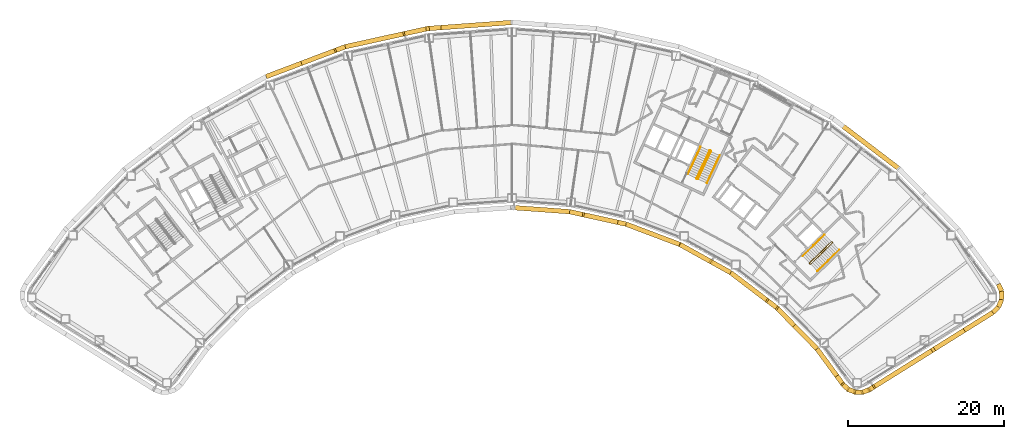
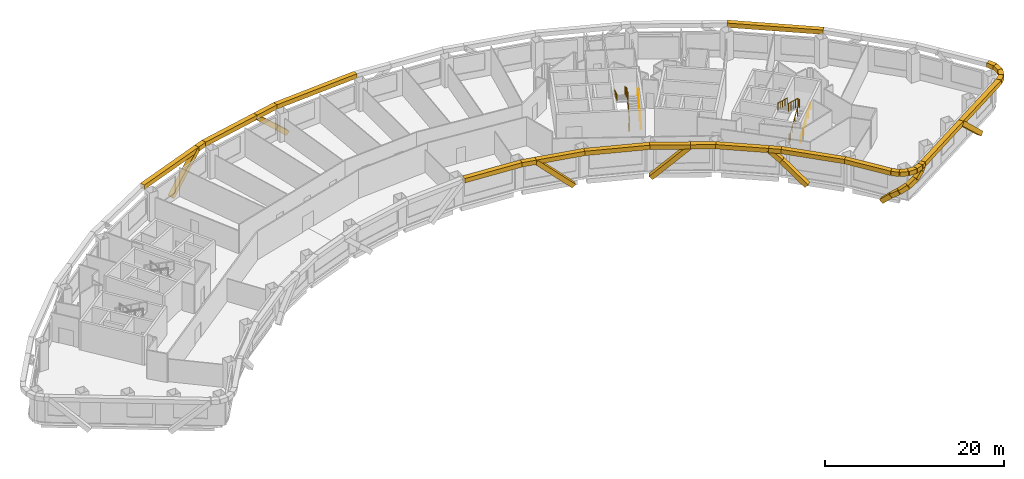
# One storey, part 14 of 16: 41 coverings, 6 railings.
"""IFC4 building model written with IfcOpenShell, lengths in metres."""

from ifc_helpers import new_model, si_unit, direction, frame, origin, origin_2d, place, context, subcontext, project, spatial, rectangle, circle, extrude, material, material_profile, profile_set, type_object, element, save


model = new_model("IFC4")

# Units and contexts
model_context = context("Model", 3, precision=1e-05, world=origin(), true_north=direction((0.0, 1.0)))
body_context = subcontext(model_context, "Body", "Model", "MODEL_VIEW")
ifc_project = project(units=[si_unit("LENGTHUNIT", "METRE"), si_unit("AREAUNIT", "SQUARE_METRE"), si_unit("VOLUMEUNIT", "CUBIC_METRE"), si_unit("PLANEANGLEUNIT", "RADIAN"), si_unit("MASSUNIT", "GRAM", prefix="KILO")], contexts=[model_context])

# Site, building, storey
site_placement = place(None, origin())
site = spatial("IfcSite", under=ifc_project, at=site_placement, CompositionType="ELEMENT")
building_placement = place(site_placement, origin())
building = spatial("IfcBuilding", under=site, at=building_placement, Name="Tuul Gate Civic Tower", CompositionType="ELEMENT")
storey_placement = place(building_placement, frame((0.0, 0.0, 124.5)))
storey = spatial("IfcBuildingStorey", under=building, at=storey_placement, Name="Level 28", CompositionType="ELEMENT", Elevation=124.5)

# Railings
ifc_material_1 = material(Name="Painted steel", Category="steel")
railing_type_1 = type_object("IfcRailingType", Name="Stair guard", PredefinedType="GUARDRAIL", material=ifc_material_1)
railing_1_placement = place(storey_placement, frame((48.10546875, -16.134765625, 0.0)))
element("IfcRailing", 1, at=railing_1_placement, inside=storey, type_object=railing_type_1, Name="Level 28 ST-3 stair guard 1", PredefinedType="GUARDRAIL", context=body_context, shape_type="SweptSolid", body=[
    extrude(circle(Radius=0.02392578125, at=origin_2d()), frame((0.0, 0.0, 1.076171875), z_axis=(-0.698506948293, 0.715603272202, 0.0), x_axis=(-0.715603272202, -0.698506948293, 0.0)), (0.0, 0.0, 1.0), 0.099853515625),
    extrude(circle(Radius=0.02392578125, at=origin_2d()), frame((-0.06982421875, 0.071533203125, 1.076171875), z_axis=(0.645446321009, -0.331687692741, 0.688027849131), x_axis=(0.457068866502, 0.889431307788, 0.0)), (0.0, 0.0, 1.0), 0.2177734375),
    extrude(circle(Radius=0.02392578125, at=origin_2d()), frame((0.07080078125, -0.000732421875, 1.22607421875), z_axis=(0.638715268259, 0.626117886127, 0.447235059857), x_axis=(-0.700029477518, 0.714113947914, 0.0)), (0.0, 0.0, 1.0), 4.360595703125),
    extrude(circle(Radius=0.02392578125, at=origin_2d()), frame((2.85595703125, 2.7294921875, 3.17626953125), z_axis=(0.010380063588, 0.999946125689, 0.0), x_axis=(-0.999946125689, 0.010380063588, 0.0)), (0.0, 0.0, 1.0), 0.070556640625),
    extrude(circle(Radius=0.02392578125, at=origin_2d()), frame((2.856689453125, 2.800048828125, 3.17626953125), z_axis=(-0.699754442181, 0.714383454909, 0.0), x_axis=(-0.714383454909, -0.699754442181, 0.0)), (0.0, 0.0, 1.0), 0.10009765625),
    extrude(circle(Radius=0.02392578125, at=origin_2d()), frame((2.78662109375, 2.87158203125, 3.17626953125), z_axis=(-0.427069033481, 0.004417955519, 0.904208229508), x_axis=(-0.010344274102, -0.999946496565, 0.0)), (0.0, 0.0, 1.0), 0.165771484375),
    extrude(circle(Radius=0.02392578125, at=origin_2d()), frame((2.7158203125, 2.872314453125, 3.326171875), z_axis=(-0.638731261263, -0.626133563701, 0.447190268558), x_axis=(0.700029477518, -0.714113947914, 0.0)), (0.0, 0.0, 1.0), 4.3603515625),
    extrude(circle(Radius=0.02099609375, at=origin_2d()), origin(), (0.0, 0.0, 1.0), 1.052001953125),
    extrude(circle(Radius=0.02099609375, at=origin_2d()), frame((-0.06982421875, 0.071533203125, 0.0)), (0.0, 0.0, 1.0), 1.052001953125),
    extrude(circle(Radius=0.02099609375, at=origin_2d()), frame((0.07080078125, -0.000732421875, 0.14990234375)), (0.0, 0.0, 1.0), 1.052001953125),
    extrude(circle(Radius=0.02099609375, at=origin_2d()), frame((0.76708984375, 0.681884765625, 0.637451171875)), (0.0, 0.0, 1.0), 1.052001953125),
    extrude(circle(Radius=0.02099609375, at=origin_2d()), frame((1.46337890625, 1.3642578125, 1.125)), (0.0, 0.0, 1.0), 1.052001953125),
    extrude(circle(Radius=0.02099609375, at=origin_2d()), frame((2.15966796875, 2.046875, 1.612548828125)), (0.0, 0.0, 1.0), 1.052001953125),
    extrude(circle(Radius=0.02099609375, at=origin_2d()), frame((2.85595703125, 2.7294921875, 2.10009765625)), (0.0, 0.0, 1.0), 1.052001953125),
    extrude(circle(Radius=0.02099609375, at=origin_2d()), frame((2.856689453125, 2.800048828125, 2.10009765625)), (0.0, 0.0, 1.0), 1.052001953125),
    extrude(circle(Radius=0.02099609375, at=origin_2d()), frame((2.78662109375, 2.87158203125, 2.10009765625)), (0.0, 0.0, 1.0), 1.052001953125),
    extrude(circle(Radius=0.02099609375, at=origin_2d()), frame((2.7158203125, 2.872314453125, 2.25)), (0.0, 0.0, 1.0), 1.052001953125),
    extrude(circle(Radius=0.02099609375, at=origin_2d()), frame((2.01953125, 2.189697265625, 2.737548828125)), (0.0, 0.0, 1.0), 1.052001953125),
    extrude(circle(Radius=0.02099609375, at=origin_2d()), frame((1.3232421875, 1.50732421875, 3.22509765625)), (0.0, 0.0, 1.0), 1.052001953125),
    extrude(circle(Radius=0.02099609375, at=origin_2d()), frame((0.626953125, 0.82470703125, 3.71240234375)), (0.0, 0.0, 1.0), 1.052001953125),
    extrude(circle(Radius=0.02099609375, at=origin_2d()), frame((-0.0693359375, 0.14208984375, 4.199951171875)), (0.0, 0.0, 1.0), 1.052001953125),
])
railing_2_placement = place(storey_placement, frame((33.645751953125, -5.238525390625, 0.0)))
element("IfcRailing", 2, at=railing_2_placement, inside=storey, type_object=railing_type_1, Name="Level 28 ST-4 stair guard 1", PredefinedType="GUARDRAIL", context=body_context, shape_type="SweptSolid", body=[
    extrude(circle(Radius=0.02392578125, at=origin_2d()), frame((0.0, 0.0, 1.076171875), z_axis=(-0.906307919131, 0.422617978463, 0.0), x_axis=(-0.422617978463, -0.906307919131, 0.0)), (0.0, 0.0, 1.0), 0.099853515625),
    extrude(circle(Radius=0.02392578125, at=origin_2d()), frame((-0.090576171875, 0.042236328125, 1.076171875), z_axis=(0.720735628292, -0.082946246491, 0.688229666829), x_axis=(0.114330889033, 0.993442724979, 0.0)), (0.0, 0.0, 1.0), 0.2177734375),
    extrude(circle(Radius=0.02392578125, at=origin_2d()), frame((0.06640625, 0.024169921875, 1.22607421875), z_axis=(0.377937439636, 0.810633814971, 0.447253965602), x_axis=(-0.906336612539, 0.422556439746, 0.0)), (0.0, 0.0, 1.0), 4.3603515625),
    extrude(circle(Radius=0.02392578125, at=origin_2d()), frame((1.71435546875, 3.558837890625, 3.17626953125), z_axis=(-0.342020437038, 0.939692513883, 0.0), x_axis=(-0.939692513883, -0.342020437038, 0.0)), (0.0, 0.0, 1.0), 0.070556640625),
    extrude(circle(Radius=0.02392578125, at=origin_2d()), frame((1.690185546875, 3.625244140625, 3.17626953125), z_axis=(-0.906307919131, 0.422617978463, 0.0), x_axis=(-0.422617978463, -0.906307919131, 0.0)), (0.0, 0.0, 1.0), 0.099853515625),
    extrude(circle(Radius=0.02392578125, at=origin_2d()), frame((1.599609375, 3.66748046875, 3.17626953125), z_axis=(-0.40070210376, -0.145843780413, 0.904526072458), x_axis=(0.342020437038, -0.939692513883, 0.0)), (0.0, 0.0, 1.0), 0.165771484375),
    extrude(circle(Radius=0.02392578125, at=origin_2d()), frame((1.533203125, 3.643310546875, 3.326171875), z_axis=(-0.377946903738, -0.810654114417, 0.447209173356), x_axis=(0.906336612539, -0.422556439746, 0.0)), (0.0, 0.0, 1.0), 4.3603515625),
    extrude(circle(Radius=0.02099609375, at=origin_2d()), origin(), (0.0, 0.0, 1.0), 1.052001953125),
    extrude(circle(Radius=0.02099609375, at=origin_2d()), frame((-0.090576171875, 0.042236328125, 0.0)), (0.0, 0.0, 1.0), 1.052001953125),
    extrude(circle(Radius=0.02099609375, at=origin_2d()), frame((0.06640625, 0.024169921875, 0.14990234375)), (0.0, 0.0, 1.0), 1.052001953125),
    extrude(circle(Radius=0.02099609375, at=origin_2d()), frame((0.478515625, 0.90771484375, 0.637451171875)), (0.0, 0.0, 1.0), 1.052001953125),
    extrude(circle(Radius=0.02099609375, at=origin_2d()), frame((0.890380859375, 1.79150390625, 1.125)), (0.0, 0.0, 1.0), 1.052001953125),
    extrude(circle(Radius=0.02099609375, at=origin_2d()), frame((1.30224609375, 2.67529296875, 1.612548828125)), (0.0, 0.0, 1.0), 1.052001953125),
    extrude(circle(Radius=0.02099609375, at=origin_2d()), frame((1.71435546875, 3.558837890625, 2.10009765625)), (0.0, 0.0, 1.0), 1.052001953125),
    extrude(circle(Radius=0.02099609375, at=origin_2d()), frame((1.690185546875, 3.625244140625, 2.10009765625)), (0.0, 0.0, 1.0), 1.052001953125),
    extrude(circle(Radius=0.02099609375, at=origin_2d()), frame((1.599609375, 3.66748046875, 2.10009765625)), (0.0, 0.0, 1.0), 1.052001953125),
    extrude(circle(Radius=0.02099609375, at=origin_2d()), frame((1.533203125, 3.643310546875, 2.25)), (0.0, 0.0, 1.0), 1.052001953125),
    extrude(circle(Radius=0.02099609375, at=origin_2d()), frame((1.12109375, 2.759765625, 2.737548828125)), (0.0, 0.0, 1.0), 1.052001953125),
    extrude(circle(Radius=0.02099609375, at=origin_2d()), frame((0.709228515625, 1.8759765625, 3.22509765625)), (0.0, 0.0, 1.0), 1.052001953125),
    extrude(circle(Radius=0.02099609375, at=origin_2d()), frame((0.29736328125, 0.9921875, 3.71240234375)), (0.0, 0.0, 1.0), 1.052001953125),
    extrude(circle(Radius=0.02099609375, at=origin_2d()), frame((-0.11474609375, 0.108642578125, 4.199951171875)), (0.0, 0.0, 1.0), 1.052001953125),
])
ifc_material_2 = material(Name="Painted steel", Category="steel")
railing_type_2 = type_object("IfcRailingType", Name="Stair handrail", PredefinedType="HANDRAIL", material=ifc_material_2)
railing_3_placement = place(storey_placement, frame((49.05126953125, -17.028076171875, 0.14990234375)))
element("IfcRailing", 3, at=railing_3_placement, inside=storey, type_object=railing_type_2, Name="Level 28 ST-3 stair handrail 1", PredefinedType="HANDRAIL", context=body_context, shape_type="SweptSolid", body=[
    extrude(circle(Radius=0.02392578125, at=origin_2d()), frame((0.0, 0.0, 0.8759765625), z_axis=(0.638737658801, 0.626083844733, 0.447250737947), x_axis=(-0.699997553204, 0.714145241186, 0.0)), (0.0, 0.0, 1.0), 4.3603515625),
    extrude(circle(Radius=0.02099609375, at=origin_2d()), origin(), (0.0, 0.0, 1.0), 0.851806640625),
    extrude(circle(Radius=0.02099609375, at=origin_2d()), frame((0.6962890625, 0.6826171875, 0.487548828125)), (0.0, 0.0, 1.0), 0.851806640625),
    extrude(circle(Radius=0.02099609375, at=origin_2d()), frame((1.392578125, 1.364990234375, 0.97509765625)), (0.0, 0.0, 1.0), 0.851806640625),
    extrude(circle(Radius=0.02099609375, at=origin_2d()), frame((2.0888671875, 2.04736328125, 1.462646484375)), (0.0, 0.0, 1.0), 0.851806640625),
    extrude(circle(Radius=0.02099609375, at=origin_2d()), frame((2.78515625, 2.72998046875, 1.9501953125)), (0.0, 0.0, 1.0), 0.851806640625),
])
railing_4_placement = place(storey_placement, frame((49.9462890625, -12.369873046875, 2.25)))
element("IfcRailing", 4, at=railing_4_placement, inside=storey, type_object=railing_type_2, Name="Level 28 ST-3 stair handrail 2", PredefinedType="HANDRAIL", context=body_context, shape_type="SweptSolid", body=[
    extrude(circle(Radius=0.02392578125, at=origin_2d()), frame((0.0, 0.0, 0.8759765625), z_axis=(-0.638753653487, -0.626099522554, 0.447205945863), x_axis=(0.699997553204, -0.714145241186, 0.0)), (0.0, 0.0, 1.0), 4.3603515625),
    extrude(circle(Radius=0.02099609375, at=origin_2d()), origin(), (0.0, 0.0, 1.0), 0.851806640625),
    extrude(circle(Radius=0.02099609375, at=origin_2d()), frame((-0.6962890625, -0.6826171875, 0.487548828125)), (0.0, 0.0, 1.0), 0.851806640625),
    extrude(circle(Radius=0.02099609375, at=origin_2d()), frame((-1.392578125, -1.364990234375, 0.97509765625)), (0.0, 0.0, 1.0), 0.851806640625),
    extrude(circle(Radius=0.02099609375, at=origin_2d()), frame((-2.0888671875, -2.04736328125, 1.46240234375)), (0.0, 0.0, 1.0), 0.851806640625),
    extrude(circle(Radius=0.02099609375, at=origin_2d()), frame((-2.78515625, -2.72998046875, 1.949951171875)), (0.0, 0.0, 1.0), 0.851806640625),
])
railing_5_placement = place(storey_placement, frame((34.844970703125, -5.74267578125, 0.14990234375)))
element("IfcRailing", 5, at=railing_5_placement, inside=storey, type_object=railing_type_2, Name="Level 28 ST-4 stair handrail 1", PredefinedType="HANDRAIL", context=body_context, shape_type="SweptSolid", body=[
    extrude(circle(Radius=0.02392578125, at=origin_2d()), frame((0.0, 0.0, 0.8759765625), z_axis=(0.377985431313, 0.810616660428, 0.447244500863), x_axis=(-0.906312636903, 0.422607861012, 0.0)), (0.0, 0.0, 1.0), 4.3603515625),
    extrude(circle(Radius=0.02099609375, at=origin_2d()), origin(), (0.0, 0.0, 1.0), 0.851806640625),
    extrude(circle(Radius=0.02099609375, at=origin_2d()), frame((0.412109375, 0.8837890625, 0.487548828125)), (0.0, 0.0, 1.0), 0.851806640625),
    extrude(circle(Radius=0.02099609375, at=origin_2d()), frame((0.82421875, 1.767333984375, 0.97509765625)), (0.0, 0.0, 1.0), 0.851806640625),
    extrude(circle(Radius=0.02099609375, at=origin_2d()), frame((1.236083984375, 2.65087890625, 1.462646484375)), (0.0, 0.0, 1.0), 0.851806640625),
    extrude(circle(Radius=0.02099609375, at=origin_2d()), frame((1.648193359375, 3.53466796875, 1.9501953125)), (0.0, 0.0, 1.0), 0.851806640625),
])
railing_6_placement = place(storey_placement, frame((34.046142578125, -1.06689453125, 2.25)))
element("IfcRailing", 6, at=railing_6_placement, inside=storey, type_object=railing_type_2, Name="Level 28 ST-4 stair handrail 2", PredefinedType="HANDRAIL", context=body_context, shape_type="SweptSolid", body=[
    extrude(circle(Radius=0.02392578125, at=origin_2d()), frame((0.0, 0.0, 0.8759765625), z_axis=(-0.377994896215, -0.810636958585, 0.447199709091), x_axis=(0.906312636903, -0.422607861012, 0.0)), (0.0, 0.0, 1.0), 4.3603515625),
    extrude(circle(Radius=0.02099609375, at=origin_2d()), origin(), (0.0, 0.0, 1.0), 0.851806640625),
    extrude(circle(Radius=0.02099609375, at=origin_2d()), frame((-0.412109375, -0.8837890625, 0.487548828125)), (0.0, 0.0, 1.0), 0.851806640625),
    extrude(circle(Radius=0.02099609375, at=origin_2d()), frame((-0.82421875, -1.767333984375, 0.97509765625)), (0.0, 0.0, 1.0), 0.851806640625),
    extrude(circle(Radius=0.02099609375, at=origin_2d()), frame((-1.236083984375, -2.65087890625, 1.46240234375)), (0.0, 0.0, 1.0), 0.851806640625),
    extrude(circle(Radius=0.02099609375, at=origin_2d()), frame((-1.648193359375, -3.53466796875, 1.949951171875)), (0.0, 0.0, 1.0), 0.851806640625),
])

# Coverings
ifc_material_3 = material(Name="Terracotta baguette", Category="masonry")
ifc_material_profile = material_profile(ifc_material_3, rectangle(XDim=0.60009765625, YDim=0.60009765625, at=origin_2d()), Name="Terracotta baguette screen frame")
ifc_profile_set = profile_set([ifc_material_profile], Name="Terracotta baguette")
covering_type = type_object("IfcCoveringType", Name="Terracotta baguette screen frame", PredefinedType="CLADDING", material=ifc_profile_set)
covering_1_placement = place(storey_placement, frame((67.73046875, -24.738525390625, -0.35009765625), z_axis=(-0.621656383482, -0.388475936409, 0.680168940564), x_axis=(0.529940764372, -0.848034661, 0.0)))
element("IfcCovering", 7, at=covering_1_placement, inside=storey, type_object=covering_type, Name="Baguette 10", PredefinedType="CLADDING", context=body_context, shape_type="SweptSolid", body=[
    extrude(rectangle(XDim=0.60009765625, YDim=0.60009765625, at=origin_2d()), origin(), (0.0, 0.0, 1.0), 6.17529296875),
])
covering_2_placement = place(storey_placement, frame((0.51123046875, 14.21435546875, -0.35009765625), z_axis=(-0.731845895541, -0.05316474156, 0.679393181769), x_axis=(0.07245379487, -0.997371770008, 0.0)))
element("IfcCovering", 8, at=covering_2_placement, inside=storey, type_object=covering_type, Name="Baguette 85", PredefinedType="CLADDING", context=body_context, shape_type="SweptSolid", body=[
    extrude(rectangle(XDim=0.60009765625, YDim=0.60009765625, at=origin_2d()), origin(), (0.0, 0.0, 1.0), 2.057373046875),
])
covering_3_placement = place(storey_placement, frame((-0.994384765625, 14.10498046875, 1.047607421875), z_axis=(-0.716572309208, -0.157909880314, 0.67940311699), x_axis=(0.215204911668, -0.976568915128, 0.0)))
element("IfcCovering", 9, at=covering_3_placement, inside=storey, type_object=covering_type, Name="Baguette 86", PredefinedType="CLADDING", context=body_context, shape_type="SweptSolid", body=[
    extrude(rectangle(XDim=0.60009765625, YDim=0.60009765625, at=origin_2d()), origin(), (0.0, 0.0, 1.0), 4.125),
])
covering_4_placement = place(storey_placement, frame((-3.9501953125, 13.45361328125, 3.85009765625), z_axis=(-0.976563721575, -0.21522847791, 0.0), x_axis=(0.21522847791, -0.976563721575, 0.0)))
element("IfcCovering", 10, at=covering_4_placement, inside=storey, type_object=covering_type, Name="Baguette 91", PredefinedType="CLADDING", context=body_context, shape_type="SweptSolid", body=[
    extrude(rectangle(XDim=0.60009765625, YDim=0.60009765625, at=origin_2d()), origin(), (0.0, 0.0, 1.0), 7.823486328125),
])
covering_5_placement = place(storey_placement, frame((-11.59033203125, 11.769775390625, 3.85009765625), z_axis=(-0.935361445444, -0.353693322493, 0.0), x_axis=(0.353693322493, -0.935361445444, 0.0)))
element("IfcCovering", 11, at=covering_5_placement, inside=storey, type_object=covering_type, Name="Baguette 92", PredefinedType="CLADDING", context=body_context, shape_type="SweptSolid", body=[
    extrude(rectangle(XDim=0.60009765625, YDim=0.60009765625, at=origin_2d()), origin(), (0.0, 0.0, 1.0), 1.248779296875),
])
covering_6_placement = place(storey_placement, frame((-12.75830078125, 11.328125, 3.85009765625), z_axis=(-0.686378844008, -0.259450492212, -0.679389081889), x_axis=(0.353581620873, -0.935403676164, 0.0)))
element("IfcCovering", 12, at=covering_6_placement, inside=storey, type_object=covering_type, Name="Baguette 94", PredefinedType="CLADDING", context=body_context, shape_type="SweptSolid", body=[
    extrude(rectangle(XDim=0.60009765625, YDim=0.60009765625, at=origin_2d()), origin(), (0.0, 0.0, 1.0), 6.182373046875),
])
covering_7_placement = place(storey_placement, frame((10.09130859375, -8.891845703125, 3.85009765625), z_axis=(0.997392632394, -0.072166036657, 0.0), x_axis=(0.072166036657, 0.997392632394, 0.0)))
element("IfcCovering", 13, at=covering_7_placement, inside=storey, type_object=covering_type, Name="Baguette 224", PredefinedType="CLADDING", context=body_context, shape_type="SweptSolid", body=[
    extrude(rectangle(XDim=0.60009765625, YDim=0.60009765625, at=origin_2d()), origin(), (0.0, 0.0, 1.0), 7.155029296875),
])
covering_8_placement = place(storey_placement, frame((17.227783203125, -9.408203125, 3.85009765625), z_axis=(0.97656469943, -0.215224041006, 0.0), x_axis=(0.215224041006, 0.97656469943, 0.0)))
element("IfcCovering", 14, at=covering_8_placement, inside=storey, type_object=covering_type, Name="Baguette 225", PredefinedType="CLADDING", context=body_context, shape_type="SweptSolid", body=[
    extrude(rectangle(XDim=0.60009765625, YDim=0.60009765625, at=origin_2d()), origin(), (0.0, 0.0, 1.0), 1.697021484375),
])
covering_9_placement = place(storey_placement, frame((18.885009765625, -9.7734375, 3.85009765625), z_axis=(0.708347031005, -0.156130040953, -0.688380631612), x_axis=(0.21524797351, 0.976559424664, 0.0)))
element("IfcCovering", 15, at=covering_9_placement, inside=storey, type_object=covering_type, Name="Baguette 227", PredefinedType="CLADDING", context=body_context, shape_type="SweptSolid", body=[
    extrude(rectangle(XDim=0.60009765625, YDim=0.60009765625, at=origin_2d()), origin(), (0.0, 0.0, 1.0), 6.1015625),
])
covering_10_placement = place(storey_placement, frame((31.53173828125, -13.69580078125, -0.35009765625), z_axis=(0.63442432806, -0.351662173267, 0.688359998735), x_axis=(0.484804374507, 0.87462261488, 0.0)))
element("IfcCovering", 16, at=covering_10_placement, inside=storey, type_object=covering_type, Name="Baguette 239", PredefinedType="CLADDING", context=body_context, shape_type="SweptSolid", body=[
    extrude(rectangle(XDim=0.60009765625, YDim=0.60009765625, at=origin_2d()), origin(), (0.0, 0.0, 1.0), 6.101806640625),
])
covering_11_placement = place(storey_placement, frame((35.40283203125, -15.841552734375, 3.85009765625), z_axis=(0.874621104425, -0.484807099468, 0.0), x_axis=(0.484807099468, 0.874621104425, 0.0)))
element("IfcCovering", 17, at=covering_11_placement, inside=storey, type_object=covering_type, Name="Baguette 244", PredefinedType="CLADDING", context=body_context, shape_type="SweptSolid", body=[
    extrude(rectangle(XDim=0.60009765625, YDim=0.60009765625, at=origin_2d()), origin(), (0.0, 0.0, 1.0), 2.852783203125),
])
covering_12_placement = place(storey_placement, frame((37.89794921875, -17.224609375, 3.85009765625), z_axis=(0.795578368083, -0.605850691373, 0.0), x_axis=(0.605850691373, 0.795578368083, 0.0)))
element("IfcCovering", 18, at=covering_12_placement, inside=storey, type_object=covering_type, Name="Baguette 245", PredefinedType="CLADDING", context=body_context, shape_type="SweptSolid", body=[
    extrude(rectangle(XDim=0.60009765625, YDim=0.60009765625, at=origin_2d()), origin(), (0.0, 0.0, 1.0), 5.9990234375),
])
covering_13_placement = place(storey_placement, frame((42.670654296875, -20.859130859375, 3.85009765625), z_axis=(0.577042517904, -0.439490959451, -0.688381891897), x_axis=(0.605903218939, 0.795538364429, 0.0)))
element("IfcCovering", 19, at=covering_13_placement, inside=storey, type_object=covering_type, Name="Baguette 248", PredefinedType="CLADDING", context=body_context, shape_type="SweptSolid", body=[
    extrude(rectangle(XDim=0.60009765625, YDim=0.60009765625, at=origin_2d()), origin(), (0.0, 0.0, 1.0), 1.9560546875),
])
covering_14_placement = place(storey_placement, frame((43.79931640625, -21.71875, 2.503662109375), z_axis=(0.507799223976, -0.517987008476, -0.688352676453), x_axis=(0.714094324474, 0.700049495218, 0.0)))
element("IfcCovering", 20, at=covering_14_placement, inside=storey, type_object=covering_type, Name="Baguette 249", PredefinedType="CLADDING", context=body_context, shape_type="SweptSolid", body=[
    extrude(rectangle(XDim=0.60009765625, YDim=0.60009765625, at=origin_2d()), origin(), (0.0, 0.0, 1.0), 4.145751953125),
])
covering_15_placement = place(storey_placement, frame((51.6572265625, -30.66552734375, -0.35009765625), z_axis=(0.431331983231, -0.590602557499, 0.682012711991), x_axis=(0.807561873714, 0.589782858452, 0.0)))
element("IfcCovering", 21, at=covering_15_placement, inside=storey, type_object=covering_type, Name="Baguette 276", PredefinedType="CLADDING", context=body_context, shape_type="SweptSolid", body=[
    extrude(rectangle(XDim=0.60009765625, YDim=0.60009765625, at=origin_2d()), origin(), (0.0, 0.0, 1.0), 1.57568359375),
])
covering_16_placement = place(storey_placement, frame((52.3369140625, -31.59619140625, 0.724609375), z_axis=(0.593803200083, -0.556139866547, 0.581469008984), x_axis=(0.683580829185, 0.729874818013, 0.0)))
element("IfcCovering", 22, at=covering_16_placement, inside=storey, type_object=covering_type, Name="Baguette 277", PredefinedType="CLADDING", context=body_context, shape_type="SweptSolid", body=[
    extrude(rectangle(XDim=0.60009765625, YDim=0.60009765625, at=origin_2d()), origin(), (0.0, 0.0, 1.0), 1.1083984375),
])
for number, where, z_axis, x_axis, name in (
    (23, (52.9951171875, -32.212646484375, 1.369140625), (0.775128876131, -0.307541011582, 0.551900128268), (0.368793912902, 0.92951118864, 0.0), "Baguette 278"),
    (24, (53.899658203125, -32.571533203125, 2.01318359375), (0.833749701007, -0.002510664093, 0.552136878534), (0.003011278693, 0.99999546609, 0.0), "Baguette 279"),
):
    element("IfcCovering", number, at=place(storey_placement, frame(where, z_axis=z_axis, x_axis=x_axis)), inside=storey, type_object=covering_type, Name=name, PredefinedType="CLADDING", context=body_context, shape_type="SweptSolid", body=[
        extrude(rectangle(XDim=0.60009765625, YDim=0.60009765625, at=origin_2d()), origin(), (0.0, 0.0, 1.0), 1.1669921875),
    ])
covering_17_placement = place(storey_placement, frame((54.87255859375, -32.574462890625, 2.657470703125), z_axis=(0.758121714184, 0.29488624006, 0.581630098865), x_axis=(-0.362511535842, 0.931979284309, 0.0)))
element("IfcCovering", 25, at=covering_17_placement, inside=storey, type_object=covering_type, Name="Baguette 280", PredefinedType="CLADDING", context=body_context, shape_type="SweptSolid", body=[
    extrude(rectangle(XDim=0.60009765625, YDim=0.60009765625, at=origin_2d()), origin(), (0.0, 0.0, 1.0), 1.109375),
])
covering_18_placement = place(storey_placement, frame((55.713623046875, -32.247314453125, 3.302734375), z_axis=(0.621669803131, 0.38835400098, 0.680226304841), x_axis=(-0.52981289744, 0.848114552231, 0.0)))
element("IfcCovering", 26, at=covering_18_placement, inside=storey, type_object=covering_type, Name="Baguette 281", PredefinedType="CLADDING", context=body_context, shape_type="SweptSolid", body=[
    extrude(rectangle(XDim=0.60009765625, YDim=0.60009765625, at=origin_2d()), origin(), (0.0, 0.0, 1.0), 0.8046875),
])
covering_19_placement = place(storey_placement, frame((56.2138671875, -31.934814453125, 3.85009765625), z_axis=(0.848058898511, 0.529901976461, 0.0), x_axis=(-0.529901976461, 0.848058898511, 0.0)))
element("IfcCovering", 27, at=covering_19_placement, inside=storey, type_object=covering_type, Name="Baguette 284", PredefinedType="CLADDING", context=body_context, shape_type="SweptSolid", body=[
    extrude(rectangle(XDim=0.60009765625, YDim=0.60009765625, at=origin_2d()), origin(), (0.0, 0.0, 1.0), 9.05322265625),
])
covering_20_placement = place(storey_placement, frame((59.522705078125, -3.902099609375, 3.85009765625), z_axis=(-0.795618643442, 0.605797799771, 0.0), x_axis=(-0.605797799771, -0.795618643442, 0.0)))
element("IfcCovering", 28, at=covering_20_placement, inside=storey, type_object=covering_type, Name="Baguette 416", PredefinedType="CLADDING", context=body_context, shape_type="SweptSolid", body=[
    extrude(rectangle(XDim=0.60009765625, YDim=0.60009765625, at=origin_2d()), origin(), (0.0, 0.0, 1.0), 10.851318359375),
])
covering_21_placement = place(storey_placement, frame((9.8291015625, 14.889892578125, 3.85009765625), z_axis=(-0.997380798876, -0.072329399508, 0.0), x_axis=(0.072329399508, -0.997380798876, 0.0)))
element("IfcCovering", 29, at=covering_21_placement, inside=storey, type_object=covering_type, Name="Baguette 421", PredefinedType="CLADDING", context=body_context, shape_type="SweptSolid", body=[
    extrude(rectangle(XDim=0.60009765625, YDim=0.60009765625, at=origin_2d()), origin(), (0.0, 0.0, 1.0), 10.851806640625),
])
covering_22_placement = place(storey_placement, frame((-0.994384765625, 14.10498046875, 3.85009765625), z_axis=(-0.976568915128, -0.215204911668, 0.0), x_axis=(0.215204911668, -0.976568915128, 0.0)))
element("IfcCovering", 30, at=covering_22_placement, inside=storey, type_object=covering_type, Name="Baguette 422", PredefinedType="CLADDING", context=body_context, shape_type="SweptSolid", body=[
    extrude(rectangle(XDim=0.60009765625, YDim=0.60009765625, at=origin_2d()), origin(), (0.0, 0.0, 1.0), 3.026611328125),
])
covering_23_placement = place(storey_placement, frame((-12.75830078125, 11.328125, 3.85009765625), z_axis=(-0.935396057165, -0.353601776352, 0.0), x_axis=(0.353601776352, -0.935396057165, 0.0)))
element("IfcCovering", 31, at=covering_23_placement, inside=storey, type_object=covering_type, Name="Baguette 423", PredefinedType="CLADDING", context=body_context, shape_type="SweptSolid", body=[
    extrude(rectangle(XDim=0.60009765625, YDim=0.60009765625, at=origin_2d()), origin(), (0.0, 0.0, 1.0), 9.603271484375),
])
covering_24_placement = place(storey_placement, frame((18.885009765625, -9.7734375, 3.85009765625), z_axis=(0.976564154982, -0.215226511388, 0.0), x_axis=(0.215226511388, 0.976564154982, 0.0)))
element("IfcCovering", 32, at=covering_24_placement, inside=storey, type_object=covering_type, Name="Baguette 436", PredefinedType="CLADDING", context=body_context, shape_type="SweptSolid", body=[
    extrude(rectangle(XDim=0.60009765625, YDim=0.60009765625, at=origin_2d()), origin(), (0.0, 0.0, 1.0), 5.720458984375),
])
covering_25_placement = place(storey_placement, frame((24.471435546875, -11.004638671875, 3.85009765625), z_axis=(0.935357193845, -0.353704565878, 0.0), x_axis=(0.353704565878, 0.935357193845, 0.0)))
element("IfcCovering", 33, at=covering_25_placement, inside=storey, type_object=covering_type, Name="Baguette 437", PredefinedType="CLADDING", context=body_context, shape_type="SweptSolid", body=[
    extrude(rectangle(XDim=0.60009765625, YDim=0.60009765625, at=origin_2d()), origin(), (0.0, 0.0, 1.0), 7.41796875),
])
covering_26_placement = place(storey_placement, frame((31.409912109375, -13.62841796875, 3.85009765625), z_axis=(0.874636136261, -0.484779980141, 0.0), x_axis=(0.484779980141, 0.874636136261, 0.0)))
element("IfcCovering", 34, at=covering_26_placement, inside=storey, type_object=covering_type, Name="Baguette 438", PredefinedType="CLADDING", context=body_context, shape_type="SweptSolid", body=[
    extrude(rectangle(XDim=0.60009765625, YDim=0.60009765625, at=origin_2d()), origin(), (0.0, 0.0, 1.0), 4.565185546875),
])
covering_27_placement = place(storey_placement, frame((42.670654296875, -20.859130859375, 3.85009765625), z_axis=(0.795538364429, -0.605903218939, 0.0), x_axis=(0.605903218939, 0.795538364429, 0.0)))
element("IfcCovering", 35, at=covering_27_placement, inside=storey, type_object=covering_type, Name="Baguette 439", PredefinedType="CLADDING", context=body_context, shape_type="SweptSolid", body=[
    extrude(rectangle(XDim=0.60009765625, YDim=0.60009765625, at=origin_2d()), origin(), (0.0, 0.0, 1.0), 1.418701171875),
])
covering_28_placement = place(storey_placement, frame((43.79931640625, -21.71875, 3.85009765625), z_axis=(0.700045416035, -0.714098323404, 0.0), x_axis=(0.714098323404, 0.700045416035, 0.0)))
element("IfcCovering", 36, at=covering_28_placement, inside=storey, type_object=covering_type, Name="Baguette 440", PredefinedType="CLADDING", context=body_context, shape_type="SweptSolid", body=[
    extrude(rectangle(XDim=0.60009765625, YDim=0.60009765625, at=origin_2d()), origin(), (0.0, 0.0, 1.0), 7.418212890625),
])
covering_29_placement = place(storey_placement, frame((48.992431640625, -27.01611328125, 3.85009765625), z_axis=(0.589729447422, -0.807600878432, 0.0), x_axis=(0.807600878432, 0.589729447422, 0.0)))
element("IfcCovering", 37, at=covering_29_placement, inside=storey, type_object=covering_type, Name="Baguette 441", PredefinedType="CLADDING", context=body_context, shape_type="SweptSolid", body=[
    extrude(rectangle(XDim=0.60009765625, YDim=0.60009765625, at=origin_2d()), origin(), (0.0, 0.0, 1.0), 5.671142578125),
])
covering_30_placement = place(storey_placement, frame((52.3369140625, -31.59619140625, 3.85009765625), z_axis=(0.729874818013, -0.683580829185, 0.0), x_axis=(0.683580829185, 0.729874818013, 0.0)))
element("IfcCovering", 38, at=covering_30_placement, inside=storey, type_object=covering_type, Name="Baguette 442", PredefinedType="CLADDING", context=body_context, shape_type="SweptSolid", body=[
    extrude(rectangle(XDim=0.60009765625, YDim=0.60009765625, at=origin_2d()), origin(), (0.0, 0.0, 1.0), 0.90185546875),
])
covering_31_placement = place(storey_placement, frame((52.9951171875, -32.212646484375, 3.85009765625), z_axis=(0.92951118864, -0.368793912902, 0.0), x_axis=(0.368793912902, 0.92951118864, 0.0)))
element("IfcCovering", 39, at=covering_31_placement, inside=storey, type_object=covering_type, Name="Baguette 443", PredefinedType="CLADDING", context=body_context, shape_type="SweptSolid", body=[
    extrude(rectangle(XDim=0.60009765625, YDim=0.60009765625, at=origin_2d()), origin(), (0.0, 0.0, 1.0), 0.97314453125),
])
covering_32_placement = place(storey_placement, frame((53.899658203125, -32.571533203125, 3.85009765625), z_axis=(0.99999546609, -0.003011278693, 0.0), x_axis=(0.003011278693, 0.99999546609, 0.0)))
element("IfcCovering", 40, at=covering_32_placement, inside=storey, type_object=covering_type, Name="Baguette 444", PredefinedType="CLADDING", context=body_context, shape_type="SweptSolid", body=[
    extrude(rectangle(XDim=0.60009765625, YDim=0.60009765625, at=origin_2d()), origin(), (0.0, 0.0, 1.0), 0.972900390625),
])
covering_33_placement = place(storey_placement, frame((54.87255859375, -32.574462890625, 3.85009765625), z_axis=(0.931979284309, 0.362511535842, 0.0), x_axis=(-0.362511535842, 0.931979284309, 0.0)))
element("IfcCovering", 41, at=covering_33_placement, inside=storey, type_object=covering_type, Name="Baguette 445", PredefinedType="CLADDING", context=body_context, shape_type="SweptSolid", body=[
    extrude(rectangle(XDim=0.60009765625, YDim=0.60009765625, at=origin_2d()), origin(), (0.0, 0.0, 1.0), 0.90234375),
])
covering_34_placement = place(storey_placement, frame((55.713623046875, -32.247314453125, 3.85009765625), z_axis=(0.848114552231, 0.52981289744, 0.0), x_axis=(-0.52981289744, 0.848114552231, 0.0)))
element("IfcCovering", 42, at=covering_34_placement, inside=storey, type_object=covering_type, Name="Baguette 446", PredefinedType="CLADDING", context=body_context, shape_type="SweptSolid", body=[
    extrude(rectangle(XDim=0.60009765625, YDim=0.60009765625, at=origin_2d()), origin(), (0.0, 0.0, 1.0), 0.58984375),
])
covering_35_placement = place(storey_placement, frame((63.8916015625, -27.137451171875, 3.85009765625), z_axis=(0.848046779804, 0.529921370832, 0.0), x_axis=(-0.529921370832, 0.848046779804, 0.0)))
element("IfcCovering", 43, at=covering_35_placement, inside=storey, type_object=covering_type, Name="Baguette 447", PredefinedType="CLADDING", context=body_context, shape_type="SweptSolid", body=[
    extrude(rectangle(XDim=0.60009765625, YDim=0.60009765625, at=origin_2d()), origin(), (0.0, 0.0, 1.0), 9.053466796875),
])
covering_36_placement = place(storey_placement, frame((71.5693359375, -22.33984375, 3.85009765625), z_axis=(0.721550422979, 0.69236189027, 0.0), x_axis=(-0.69236189027, 0.721550422979, 0.0)))
element("IfcCovering", 44, at=covering_36_placement, inside=storey, type_object=covering_type, Name="Baguette 448", PredefinedType="CLADDING", context=body_context, shape_type="SweptSolid", body=[
    extrude(rectangle(XDim=0.60009765625, YDim=0.60009765625, at=origin_2d()), origin(), (0.0, 0.0, 1.0), 0.987060546875),
])
for number, where, z_axis, x_axis, name in (
    (45, (72.281494140625, -21.656494140625, 3.85009765625), (0.386726676251, 0.922194381829, 0.0), (-0.922194381829, 0.386726676251, 0.0), "Baguette 449"),
    (46, (72.694091796875, -20.672607421875, 3.85009765625), (-0.014414978083, 0.999896098806, 0.0), (-0.999896098806, -0.014414978083, 0.0), "Baguette 450"),
):
    element("IfcCovering", number, at=place(storey_placement, frame(where, z_axis=z_axis, x_axis=x_axis)), inside=storey, type_object=covering_type, Name=name, PredefinedType="CLADDING", context=body_context, shape_type="SweptSolid", body=[
        extrude(rectangle(XDim=0.60009765625, YDim=0.60009765625, at=origin_2d()), origin(), (0.0, 0.0, 1.0), 1.06689453125),
    ])
covering_37_placement = place(storey_placement, frame((72.6787109375, -19.605712890625, 3.85009765625), z_axis=(-0.4130215853, 0.910721236206, 0.0), x_axis=(-0.910721236206, -0.4130215853, 0.0)))
element("IfcCovering", 47, at=covering_37_placement, inside=storey, type_object=covering_type, Name="Baguette 451", PredefinedType="CLADDING", context=body_context, shape_type="SweptSolid", body=[
    extrude(rectangle(XDim=0.60009765625, YDim=0.60009765625, at=origin_2d()), origin(), (0.0, 0.0, 1.0), 0.989013671875),
])

save(model, "model.ifc")
